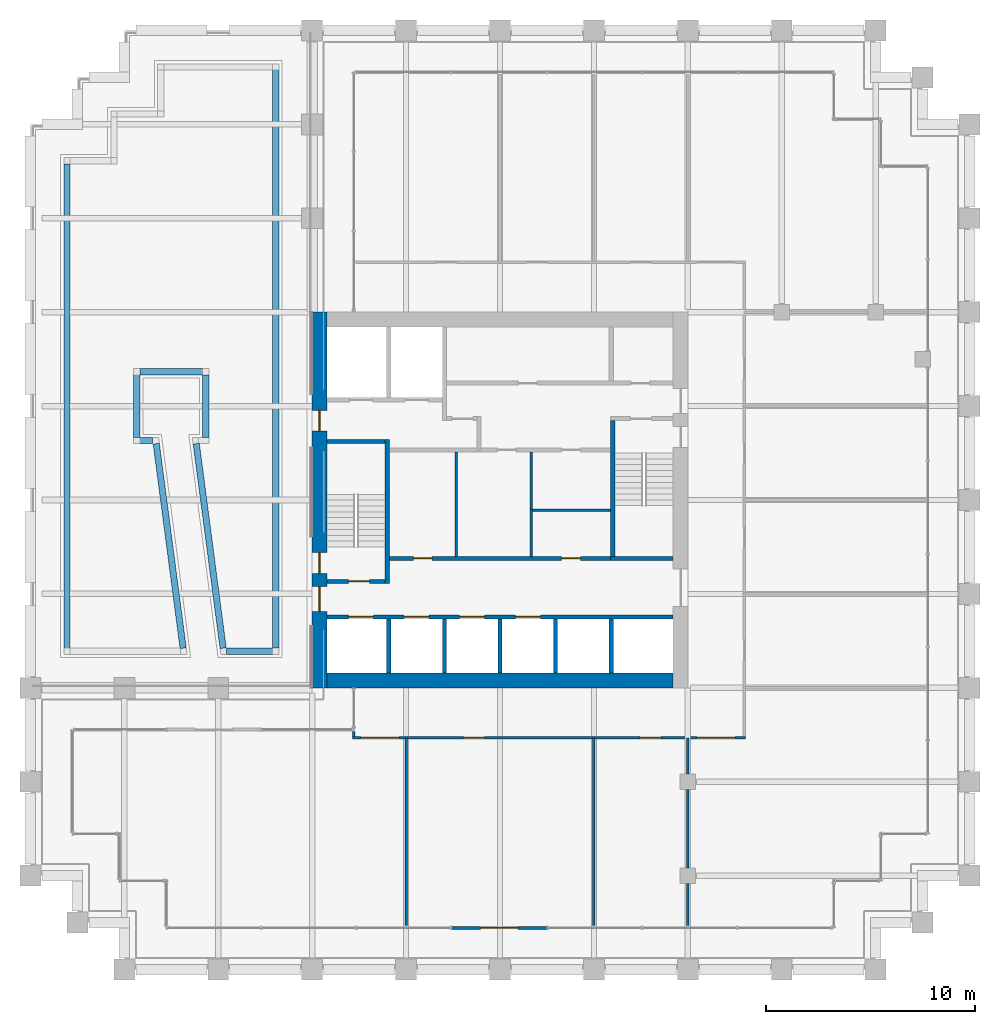
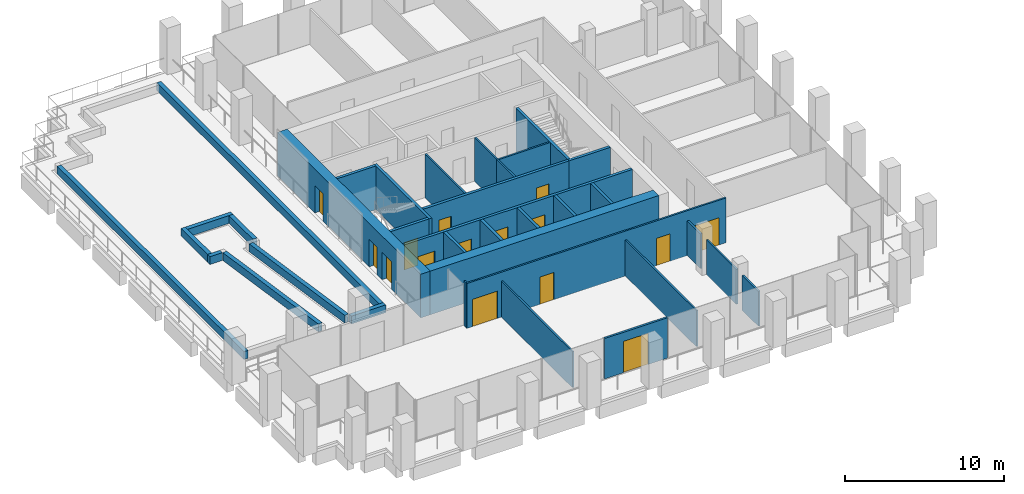
# One storey, part 45 of 52: 35 walls, 15 doors, 15 openings.
"""IFC4 building model written with IfcOpenShell, lengths in metres."""

from ifc_helpers import new_model, si_unit, direction, frame, frame_2d, origin, place, context, subcontext, project, spatial, rectangle, extrude, material, layer, layer_set, type_object, element, fill, save


model = new_model("IFC4")

# Units and contexts
model_context = context("Model", 3, precision=1e-05, world=origin(), true_north=direction((0.0, 1.0)))
body_context = subcontext(model_context, "Body", "Model", "MODEL_VIEW")
ifc_project = project(units=[si_unit("LENGTHUNIT", "METRE"), si_unit("AREAUNIT", "SQUARE_METRE"), si_unit("VOLUMEUNIT", "CUBIC_METRE"), si_unit("PLANEANGLEUNIT", "RADIAN"), si_unit("MASSUNIT", "GRAM", prefix="KILO")], contexts=[model_context])

# Site, building, storey
site_placement = place(None, origin())
site = spatial("IfcSite", under=ifc_project, at=site_placement, CompositionType="ELEMENT")
building_placement = place(site_placement, origin())
building = spatial("IfcBuilding", under=site, at=building_placement, Name="Altepetl Exchange Towers", CompositionType="ELEMENT")
storey_placement = place(building_placement, frame((0.0, 0.0, 92.0)))
storey = spatial("IfcBuildingStorey", under=building, at=storey_placement, Name="L22", CompositionType="ELEMENT", Elevation=92.0)

# Wall
ifc_material_1 = material(Name="Concrete C70/85", Category="concrete")
ifc_layer_1 = layer(ifc_material_1, 0.699951171875)
ifc_layer_set_1 = layer_set([ifc_layer_1], Name="Concrete C70/85")
wall_type_1 = type_object("IfcWallType", Name="Core wall 700 reinforced concrete", PredefinedType="SHEAR", material=ifc_layer_set_1)
wall_1_placement = place(storey_placement, frame((41.199951171875, 40.85009765625, 0.0)))
element("IfcWall", 1, at=wall_1_placement, inside=storey, type_object=wall_type_1, Name="wall:A:L22:K-coreS", PredefinedType="SHEAR", context=body_context, shape_type="SweptSolid", body=[
    extrude(rectangle(XDim=16.60009765625, YDim=0.699951171875, at=frame_2d((8.300048828125, 0.0))), origin(), (0.0, 0.0, 1.0), 3.35009765625),
])

# Wall, openings, doors
ifc_layer_2 = layer(ifc_material_1, 0.699951171875)
ifc_layer_set_2 = layer_set([ifc_layer_2], Name="Concrete C70/85")
wall_type_2 = type_object("IfcWallType", Name="Core wall 700 reinforced concrete external", PredefinedType="SHEAR", material=ifc_layer_set_2)
wall_2_placement = place(storey_placement, frame((40.85009765625, 40.5, 0.0), z_axis=(0.0, 0.0, 1.0), x_axis=(0.0, 1.0, 0.0)))
wall_2 = element("IfcWall", 2, at=wall_2_placement, inside=storey, type_object=wall_type_2, Name="wall:A:L22:K-coreW", PredefinedType="SHEAR", context=body_context, shape_type="SweptSolid", body=[
    extrude(rectangle(XDim=18.0, YDim=0.699951171875, at=frame_2d((9.0, 0.0))), origin(), (0.0, 0.0, 1.0), 3.35009765625),
])
opening_1_placement = place(wall_2_placement, frame((3.64990234375, 0.0, 0.0)))
opening_1 = element("IfcOpeningElement", 3, at=opening_1_placement, cuts=wall_2, Name="Opening L22.A62", PredefinedType="OPENING", context=body_context, shape_type="SweptSolid", body=[
    extrude(rectangle(XDim=1.199951171875, YDim=2.10009765625, at=frame_2d((0.60009765625, 1.050048828125))), frame((0.0, 0.35986328125, 0.0), z_axis=(0.0, -1.0, 0.0), x_axis=(1.0, 0.0, 0.0)), (0.0, 0.0, 1.0), 0.719970703125),
])
opening_2_placement = place(wall_2_placement, frame((5.47509765625, 0.0, 0.0)))
opening_2 = element("IfcOpeningElement", 4, at=opening_2_placement, cuts=wall_2, Name="Opening L22.A64", PredefinedType="OPENING", context=body_context, shape_type="SweptSolid", body=[
    extrude(rectangle(XDim=1.0, YDim=2.10009765625, at=frame_2d((0.5, 1.050048828125))), frame((0.0, 0.35986328125, 0.0), z_axis=(0.0, -1.0, 0.0), x_axis=(1.0, 0.0, 0.0)), (0.0, 0.0, 1.0), 0.719970703125),
])
opening_3_placement = place(wall_2_placement, frame((12.300048828125, 0.0, 0.0)))
opening_3 = element("IfcOpeningElement", 5, at=opening_3_placement, cuts=wall_2, Name="Opening L22.A68", PredefinedType="OPENING", context=body_context, shape_type="SweptSolid", body=[
    extrude(rectangle(XDim=1.0, YDim=2.10009765625, at=frame_2d((0.5, 1.050048828125))), frame((0.0, 0.35986328125, 0.0), z_axis=(0.0, -1.0, 0.0), x_axis=(1.0, 0.0, 0.0)), (0.0, 0.0, 1.0), 0.719970703125),
])
ifc_material_2 = material(Name="Steel and timber fire door", Category="steel")
door_type_1 = type_object("IfcDoorType", Name="Fire door 1000 x 2100 stair and lobby", OperationType="SINGLE_SWING_LEFT", PredefinedType="DOOR", material=ifc_material_2)
door_1_placement = place(opening_2_placement, frame((1.0, 0.0, 0.0), x_axis=(-1.0, 0.0, 0.0)))
door_1 = element("IfcDoor", 6, at=door_1_placement, inside=storey, type_object=door_type_1, Name="door:A:L22:K-dS1x", OperationType="SINGLE_SWING_RIGHT", OverallHeight=2.10009765625, OverallWidth=1.0, PredefinedType="DOOR", context=body_context, shape_type="SweptSolid", body=[
    extrude(rectangle(XDim=1.0, YDim=2.10009765625, at=frame_2d((0.5, 1.050048828125))), frame((0.0, 0.02490234375, 0.0), z_axis=(0.0, -1.0, 0.0), x_axis=(1.0, 0.0, 0.0)), (0.0, 0.0, 1.0), 0.050048828125),
])
fill(opening_2, door_1)
door_2_placement = place(opening_3_placement, frame((1.0, 0.0, 0.0), x_axis=(-1.0, 0.0, 0.0)))
door_2 = element("IfcDoor", 7, at=door_2_placement, inside=storey, type_object=door_type_1, Name="door:A:L22:K-dffW", OperationType="SINGLE_SWING_LEFT", OverallHeight=2.10009765625, OverallWidth=1.0, PredefinedType="DOOR", context=body_context, shape_type="SweptSolid", body=[
    extrude(rectangle(XDim=1.0, YDim=2.10009765625, at=frame_2d((0.5, 1.050048828125))), frame((0.0, 0.02490234375, 0.0), z_axis=(0.0, -1.0, 0.0), x_axis=(1.0, 0.0, 0.0)), (0.0, 0.0, 1.0), 0.050048828125),
])
fill(opening_3, door_2)
door_type_2 = type_object("IfcDoorType", Name="Fire door 1200 x 2100 lobby entry", OperationType="SINGLE_SWING_LEFT", PredefinedType="DOOR", material=ifc_material_2)
door_3_placement = place(opening_1_placement, frame((1.199951171875, 0.0, 0.0), x_axis=(-1.0, 0.0, 0.0)))
door_3 = element("IfcDoor", 8, at=door_3_placement, inside=storey, type_object=door_type_2, Name="door:A:L22:K-dLSW", OperationType="SINGLE_SWING_LEFT", OverallHeight=2.10009765625, OverallWidth=1.199951171875, PredefinedType="DOOR", context=body_context, shape_type="SweptSolid", body=[
    extrude(rectangle(XDim=1.199951171875, YDim=2.10009765625, at=frame_2d((0.60009765625, 1.050048828125))), frame((0.0, 0.02490234375, 0.0), z_axis=(0.0, -1.0, 0.0), x_axis=(1.0, 0.0, 0.0)), (0.0, 0.0, 1.0), 0.050048828125),
])
fill(opening_1, door_3)

# Wall, opening, door
ifc_material_3 = material(Name="Aluminium composite cladding", Category="aluminium")
ifc_layer_3 = layer(ifc_material_3, 0.14990234375)
ifc_layer_set_3 = layer_set([ifc_layer_3], Name="Aluminium composite cladding")
wall_type_3 = type_object("IfcWallType", Name="Infill wall 150 aluminium panel", PredefinedType="SOLIDWALL", material=ifc_layer_set_3)
wall_3_placement = place(storey_placement, frame((47.18212890625, 29.0, 0.0)))
wall_3 = element("IfcWall", 9, at=wall_3_placement, inside=storey, type_object=wall_type_3, Name="Loggia door bay wall", PredefinedType="SOLIDWALL", context=body_context, shape_type="SweptSolid", body=[
    extrude(rectangle(XDim=4.560791015625, YDim=0.14990234375, at=frame_2d((2.2802734375, 0.0))), origin(), (0.0, 0.0, 1.0), 3.10009765625),
])
opening_4_placement = place(wall_3_placement, frame((1.38037109375, 0.0, 0.0)))
opening_4 = element("IfcOpeningElement", 10, at=opening_4_placement, cuts=wall_3, Name="Opening L22.A90", PredefinedType="OPENING", context=body_context, shape_type="SweptSolid", body=[
    extrude(rectangle(XDim=1.800048828125, YDim=2.39990234375, at=frame_2d((0.89990234375, 1.199951171875))), frame((0.0, 0.0849609375, 0.0), z_axis=(0.0, -1.0, 0.0), x_axis=(1.0, 0.0, 0.0)), (0.0, 0.0, 1.0), 0.169921875),
])
ifc_material_4 = material(Name="Aluminium 6063-T6 and glass", Category="aluminium")
door_type_3 = type_object("IfcDoorType", Name="Glazed door pair 1800x2400", OperationType="DOUBLE_DOOR_DOUBLE_SWING", PredefinedType="NOTDEFINED", material=ifc_material_4)
door_4_placement = place(opening_4_placement, frame((1.800048828125, 0.0, 0.0), x_axis=(-1.0, 0.0, 0.0)))
door_4 = element("IfcDoor", 11, at=door_4_placement, inside=storey, type_object=door_type_3, Name="Loggia door", OperationType="DOUBLE_DOOR_DOUBLE_SWING", OverallHeight=2.39990234375, OverallWidth=1.800048828125, PredefinedType="NOTDEFINED", context=body_context, shape_type="SweptSolid", body=[
    extrude(rectangle(XDim=1.800048828125, YDim=2.39990234375, at=frame_2d((0.89990234375, 1.199951171875))), frame((0.0, 0.02490234375, 0.0), z_axis=(0.0, -1.0, 0.0), x_axis=(1.0, 0.0, 0.0)), (0.0, 0.0, 1.0), 0.050048828125),
])
fill(opening_4, door_4)

# Wall, openings, doors
ifc_material_5 = material(Name="Concrete blockwork", Category="masonry")
ifc_layer_4 = layer(ifc_material_5, 0.199951171875)
ifc_layer_set_4 = layer_set([ifc_layer_4], Name="Concrete blockwork")
wall_type_4 = type_object("IfcWallType", Name="Lobby wall 200 blockwork", PredefinedType="PARTITIONING", material=ifc_layer_set_4)
wall_4_placement = place(storey_placement, frame((44.199951171875, 46.699951171875, 0.0)))
wall_4 = element("IfcWall", 12, at=wall_4_placement, inside=storey, type_object=wall_type_4, Name="wall:A:L22:K-zoneS", PredefinedType="PARTITIONING", context=body_context, shape_type="SweptSolid", body=[
    extrude(rectangle(XDim=10.60009765625, YDim=0.199951171875, at=frame_2d((5.300048828125, 0.0))), origin(), (0.0, 0.0, 1.0), 3.35009765625),
])
opening_5_placement = place(wall_4_placement, frame((1.14990234375, 0.0, 0.0)))
opening_5 = element("IfcOpeningElement", 13, at=opening_5_placement, cuts=wall_4, Name="Opening L22.A71", PredefinedType="OPENING", context=body_context, shape_type="SweptSolid", body=[
    extrude(rectangle(XDim=0.89990234375, YDim=2.10009765625, at=frame_2d((0.449951171875, 1.050048828125))), frame((0.0, 0.10986328125, 0.0), z_axis=(0.0, -1.0, 0.0), x_axis=(1.0, 0.0, 0.0)), (0.0, 0.0, 1.0), 0.219970703125),
])
opening_6_placement = place(wall_4_placement, frame((8.25, 0.0, 0.0)))
opening_6 = element("IfcOpeningElement", 14, at=opening_6_placement, cuts=wall_4, Name="Opening L22.A73", PredefinedType="OPENING", context=body_context, shape_type="SweptSolid", body=[
    extrude(rectangle(XDim=0.89990234375, YDim=2.10009765625, at=frame_2d((0.449951171875, 1.050048828125))), frame((0.0, 0.10986328125, 0.0), z_axis=(0.0, -1.0, 0.0), x_axis=(1.0, 0.0, 0.0)), (0.0, 0.0, 1.0), 0.219970703125),
])
door_type_4 = type_object("IfcDoorType", Name="Fire door 900 x 2100 service room", OperationType="SINGLE_SWING_LEFT", PredefinedType="DOOR", material=ifc_material_2)
door_5_placement = place(opening_5_placement, origin())
door_5 = element("IfcDoor", 15, at=door_5_placement, inside=storey, type_object=door_type_4, Name="door:A:L22:K-dz1", OperationType="SINGLE_SWING_RIGHT", OverallHeight=2.10009765625, OverallWidth=0.89990234375, PredefinedType="DOOR", context=body_context, shape_type="SweptSolid", body=[
    extrude(rectangle(XDim=0.89990234375, YDim=2.10009765625, at=frame_2d((0.449951171875, 1.050048828125))), frame((0.0, 0.02490234375, 0.0), z_axis=(0.0, -1.0, 0.0), x_axis=(1.0, 0.0, 0.0)), (0.0, 0.0, 1.0), 0.050048828125),
])
fill(opening_5, door_5)
door_6_placement = place(opening_6_placement, origin())
door_6 = element("IfcDoor", 16, at=door_6_placement, inside=storey, type_object=door_type_4, Name="door:A:L22:K-dz3", OperationType="SINGLE_SWING_RIGHT", OverallHeight=2.10009765625, OverallWidth=0.89990234375, PredefinedType="DOOR", context=body_context, shape_type="SweptSolid", body=[
    extrude(rectangle(XDim=0.89990234375, YDim=2.10009765625, at=frame_2d((0.449951171875, 1.050048828125))), frame((0.0, 0.02490234375, 0.0), z_axis=(0.0, -1.0, 0.0), x_axis=(1.0, 0.0, 0.0)), (0.0, 0.0, 1.0), 0.050048828125),
])
fill(opening_6, door_6)

# Walls
ifc_material_6 = material(Name="Gypsum board on steel studs", Category="steel")
ifc_layer_5 = layer(ifc_material_6, 0.125)
ifc_layer_set_5 = layer_set([ifc_layer_5], Name="Gypsum board on steel studs")
wall_type_5 = type_object("IfcWallType", Name="Partition 125 gypsum board on steel studs", PredefinedType="PARTITIONING", material=ifc_layer_set_5)
wall_5_placement = place(storey_placement, frame((47.39990234375, 46.800048828125, 0.0), z_axis=(0.0, 0.0, 1.0), x_axis=(0.0, 1.0, 0.0)))
element("IfcWall", 17, at=wall_5_placement, inside=storey, type_object=wall_type_5, Name="wall:A:L22:K-zp1", PredefinedType="PARTITIONING", context=body_context, shape_type="SweptSolid", body=[
    extrude(rectangle(XDim=5.0, YDim=0.125, at=frame_2d((2.5, 0.0))), origin(), (0.0, 0.0, 1.0), 3.35009765625),
])
wall_6_placement = place(storey_placement, frame((51.0, 46.800048828125, 0.0), z_axis=(0.0, 0.0, 1.0), x_axis=(0.0, 1.0, 0.0)))
element("IfcWall", 18, at=wall_6_placement, inside=storey, type_object=wall_type_5, Name="wall:A:L22:K-zp2", PredefinedType="PARTITIONING", context=body_context, shape_type="SweptSolid", body=[
    extrude(rectangle(XDim=2.262451171875, YDim=0.125, at=frame_2d((1.13134765625, 0.0))), origin(), (0.0, 0.0, 1.0), 3.35009765625),
])
wall_7_placement = place(storey_placement, frame((54.800048828125, 49.0, 0.0), z_axis=(0.0, 0.0, 1.0), x_axis=(-1.0, 0.0, 0.0)))
element("IfcWall", 19, at=wall_7_placement, inside=storey, type_object=wall_type_5, Name="wall:A:L22:K-zp3", PredefinedType="PARTITIONING", context=body_context, shape_type="SweptSolid", body=[
    extrude(rectangle(XDim=3.737548828125, YDim=0.125, at=frame_2d((1.86865234375, 0.0))), origin(), (0.0, 0.0, 1.0), 3.35009765625),
])
wall_8_placement = place(storey_placement, frame((51.0, 49.0, 0.0), z_axis=(0.0, 0.0, 1.0), x_axis=(0.0, 1.0, 0.0)))
element("IfcWall", 20, at=wall_8_placement, inside=storey, type_object=wall_type_5, Name="wall:A:L22:K-zp4", PredefinedType="PARTITIONING", context=body_context, shape_type="SweptSolid", body=[
    extrude(rectangle(XDim=2.800048828125, YDim=0.125, at=frame_2d((1.39990234375, 0.0))), origin(), (0.0, 0.0, 1.0), 3.35009765625),
])

# Wall, openings, doors
wall_9_placement = place(storey_placement, frame((42.4375, 38.10009765625, 0.0)))
wall_9 = element("IfcWall", 21, at=wall_9_placement, inside=storey, type_object=wall_type_5, Name="wall:A:L22:P01", PredefinedType="PARTITIONING", context=body_context, shape_type="SweptSolid", body=[
    extrude(rectangle(XDim=18.824951171875, YDim=0.125, at=frame_2d((9.41259765625, 0.0))), origin(), (0.0, 0.0, 1.0), 3.449951171875),
])
opening_7_placement = place(wall_9_placement, frame((0.41259765625, 0.0, 0.0)))
opening_7 = element("IfcOpeningElement", 22, at=opening_7_placement, cuts=wall_9, Name="Opening L22.A01", PredefinedType="OPENING", context=body_context, shape_type="SweptSolid", body=[
    extrude(rectangle(XDim=1.800048828125, YDim=2.10009765625, at=frame_2d((0.89990234375, 1.050048828125))), frame((0.0, 0.072509765625, 0.0), z_axis=(0.0, -1.0, 0.0), x_axis=(1.0, 0.0, 0.0)), (0.0, 0.0, 1.0), 0.14501953125),
])
opening_8_placement = place(wall_9_placement, frame((5.320556640625, 0.0, 0.0)))
opening_8 = element("IfcOpeningElement", 23, at=opening_8_placement, cuts=wall_9, Name="Opening L22.A02", PredefinedType="OPENING", context=body_context, shape_type="SweptSolid", body=[
    extrude(rectangle(XDim=1.0, YDim=2.10009765625, at=frame_2d((0.5, 1.050048828125))), frame((0.0, 0.072509765625, 0.0), z_axis=(0.0, -1.0, 0.0), x_axis=(1.0, 0.0, 0.0)), (0.0, 0.0, 1.0), 0.14501953125),
])
opening_9_placement = place(wall_9_placement, frame((13.767578125, 0.0, 0.0)))
opening_9 = element("IfcOpeningElement", 24, at=opening_9_placement, cuts=wall_9, Name="Opening L22.A03", PredefinedType="OPENING", context=body_context, shape_type="SweptSolid", body=[
    extrude(rectangle(XDim=1.0, YDim=2.10009765625, at=frame_2d((0.5, 1.050048828125))), frame((0.0, 0.072509765625, 0.0), z_axis=(0.0, -1.0, 0.0), x_axis=(1.0, 0.0, 0.0)), (0.0, 0.0, 1.0), 0.14501953125),
])
opening_10_placement = place(wall_9_placement, frame((16.512451171875, 0.0, 0.0)))
opening_10 = element("IfcOpeningElement", 25, at=opening_10_placement, cuts=wall_9, Name="Opening L22.A04", PredefinedType="OPENING", context=body_context, shape_type="SweptSolid", body=[
    extrude(rectangle(XDim=1.800048828125, YDim=2.10009765625, at=frame_2d((0.89990234375, 1.050048828125))), frame((0.0, 0.072509765625, 0.0), z_axis=(0.0, -1.0, 0.0), x_axis=(1.0, 0.0, 0.0)), (0.0, 0.0, 1.0), 0.14501953125),
])
door_type_5 = type_object("IfcDoorType", Name="Fire door 1000 x 2100 single leaf", OperationType="SINGLE_SWING_LEFT", PredefinedType="DOOR", material=ifc_material_2)
door_7_placement = place(opening_8_placement, frame((1.0, 0.0, 0.0), x_axis=(-1.0, 0.0, 0.0)))
door_7 = element("IfcDoor", 26, at=door_7_placement, inside=storey, type_object=door_type_5, Name="door:A:L22:02", OperationType="SINGLE_SWING_RIGHT", OverallHeight=2.10009765625, OverallWidth=1.0, PredefinedType="DOOR", context=body_context, shape_type="SweptSolid", body=[
    extrude(rectangle(XDim=1.0, YDim=2.10009765625, at=frame_2d((0.5, 1.050048828125))), frame((0.0, 0.02490234375, 0.0), z_axis=(0.0, -1.0, 0.0), x_axis=(1.0, 0.0, 0.0)), (0.0, 0.0, 1.0), 0.050048828125),
])
fill(opening_8, door_7)
door_8_placement = place(opening_9_placement, frame((1.0, 0.0, 0.0), x_axis=(-1.0, 0.0, 0.0)))
door_8 = element("IfcDoor", 27, at=door_8_placement, inside=storey, type_object=door_type_5, Name="door:A:L22:03", OperationType="SINGLE_SWING_LEFT", OverallHeight=2.10009765625, OverallWidth=1.0, PredefinedType="DOOR", context=body_context, shape_type="SweptSolid", body=[
    extrude(rectangle(XDim=1.0, YDim=2.10009765625, at=frame_2d((0.5, 1.050048828125))), frame((0.0, 0.02490234375, 0.0), z_axis=(0.0, -1.0, 0.0), x_axis=(1.0, 0.0, 0.0)), (0.0, 0.0, 1.0), 0.050048828125),
])
fill(opening_9, door_8)
door_type_6 = type_object("IfcDoorType", Name="Fire door 1800 x 2100 double leaf", OperationType="DOUBLE_DOOR_SINGLE_SWING", PredefinedType="DOOR", material=ifc_material_2)
door_9_placement = place(opening_7_placement, frame((1.800048828125, 0.0, 0.0), x_axis=(-1.0, 0.0, 0.0)))
door_9 = element("IfcDoor", 28, at=door_9_placement, inside=storey, type_object=door_type_6, Name="door:A:L22:01", OperationType="DOUBLE_DOOR_SINGLE_SWING", OverallHeight=2.10009765625, OverallWidth=1.800048828125, PredefinedType="DOOR", context=body_context, shape_type="SweptSolid", body=[
    extrude(rectangle(XDim=1.800048828125, YDim=2.10009765625, at=frame_2d((0.89990234375, 1.050048828125))), frame((0.0, 0.02490234375, 0.0), z_axis=(0.0, -1.0, 0.0), x_axis=(1.0, 0.0, 0.0)), (0.0, 0.0, 1.0), 0.050048828125),
])
fill(opening_7, door_9)
door_10_placement = place(opening_10_placement, frame((1.800048828125, 0.0, 0.0), x_axis=(-1.0, 0.0, 0.0)))
door_10 = element("IfcDoor", 29, at=door_10_placement, inside=storey, type_object=door_type_6, Name="door:A:L22:04", OperationType="DOUBLE_DOOR_SINGLE_SWING", OverallHeight=2.10009765625, OverallWidth=1.800048828125, PredefinedType="DOOR", context=body_context, shape_type="SweptSolid", body=[
    extrude(rectangle(XDim=1.800048828125, YDim=2.10009765625, at=frame_2d((0.89990234375, 1.050048828125))), frame((0.0, 0.02490234375, 0.0), z_axis=(0.0, -1.0, 0.0), x_axis=(1.0, 0.0, 0.0)), (0.0, 0.0, 1.0), 0.050048828125),
])
fill(opening_10, door_10)

# Walls
wall_10_placement = place(storey_placement, frame((42.5, 38.16259765625, 0.0), z_axis=(0.0, 0.0, 1.0), x_axis=(0.0, 1.0, 0.0)))
element("IfcWall", 30, at=wall_10_placement, inside=storey, type_object=wall_type_5, Name="wall:A:L22:P10", PredefinedType="PARTITIONING", context=body_context, shape_type="SweptSolid", body=[
    extrude(rectangle(XDim=0.2373046875, YDim=0.125, at=frame_2d((0.11865234375, 0.0))), origin(), (0.0, 0.0, 1.0), 3.449951171875),
])
for number, where, z_axis, x_axis, name in (
    (31, (45.0, 29.10009765625, 0.0), (0.0, 0.0, 1.0), (0.0, 1.0, 0.0), "wall:A:L22:P11"),
    (32, (54.0, 29.10009765625, 0.0), (0.0, 0.0, 1.0), (0.0, 1.0, 0.0), "wall:A:L22:P13"),
):
    element("IfcWall", number, at=place(storey_placement, frame(where, z_axis=z_axis, x_axis=x_axis)), inside=storey, type_object=wall_type_5, Name=name, PredefinedType="PARTITIONING", context=body_context, shape_type="SweptSolid", body=[
        extrude(rectangle(XDim=9.0, YDim=0.125, at=frame_2d((4.5, 0.0))), origin(), (0.0, 0.0, 1.0), 2.76611328125),
    ])
wall_11_placement = place(storey_placement, frame((58.5, 29.10009765625, 0.0), z_axis=(0.0, 0.0, 1.0), x_axis=(0.0, 1.0, 0.0)))
element("IfcWall", 33, at=wall_11_placement, inside=storey, type_object=wall_type_5, Name="wall:A:L22:P15", PredefinedType="PARTITIONING", context=body_context, shape_type="SweptSolid", body=[
    extrude(rectangle(XDim=2.02490234375, YDim=0.125, at=frame_2d((1.012451171875, 0.0))), origin(), (0.0, 0.0, 1.0), 2.676025390625),
])
wall_12_placement = place(storey_placement, frame((58.5, 31.875, 0.0), z_axis=(0.0, 0.0, 1.0), x_axis=(0.0, 1.0, 0.0)))
element("IfcWall", 34, at=wall_12_placement, inside=storey, type_object=wall_type_5, Name="wall:A:L22:P16", PredefinedType="PARTITIONING", context=body_context, shape_type="SweptSolid", body=[
    extrude(rectangle(XDim=3.75, YDim=0.125, at=frame_2d((1.875, 0.0))), origin(), (0.0, 0.0, 1.0), 2.676025390625),
])
wall_13_placement = place(storey_placement, frame((58.5, 36.375, 0.0), z_axis=(0.0, 0.0, 1.0), x_axis=(0.0, 1.0, 0.0)))
element("IfcWall", 35, at=wall_13_placement, inside=storey, type_object=wall_type_5, Name="wall:A:L22:P17", PredefinedType="PARTITIONING", context=body_context, shape_type="SweptSolid", body=[
    extrude(rectangle(XDim=1.72509765625, YDim=0.125, at=frame_2d((0.862548828125, 0.0))), origin(), (0.0, 0.0, 1.0), 2.676025390625),
])
ifc_material_7 = material(Name="Concrete C30/37", Category="concrete")
ifc_layer_6 = layer(ifc_material_7, 0.300048828125)
ifc_layer_set_6 = layer_set([ifc_layer_6], Name="Concrete C30/37")
wall_type_6 = type_object("IfcWallType", Name="Planter wall 300 concrete", PredefinedType="SOLIDWALL", material=ifc_layer_set_6)
wall_14_placement = place(storey_placement, frame((28.75, 65.60009765625, 0.0), z_axis=(0.0, 0.0, 1.0), x_axis=(0.0, -1.0, 0.0)))
element("IfcWall", 36, at=wall_14_placement, inside=storey, type_object=wall_type_6, Name="Planter bed wall", PredefinedType="SOLIDWALL", context=body_context, shape_type="SweptSolid", body=[
    extrude(rectangle(XDim=23.5, YDim=0.300048828125, at=frame_2d((11.75, 0.0))), origin(), (0.0, 0.0, 1.0), 0.60009765625),
])
wall_15_placement = place(storey_placement, frame((34.31689453125, 42.398681640625, 0.0), z_axis=(0.0, 0.0, 1.0), x_axis=(-0.130332506331, 0.991470341358, 0.0)))
element("IfcWall", 37, at=wall_15_placement, inside=storey, type_object=wall_type_6, Name="Planter bed wall", PredefinedType="SOLIDWALL", context=body_context, shape_type="SweptSolid", body=[
    extrude(rectangle(XDim=9.88671875, YDim=0.300048828125, at=frame_2d((4.943359375, 0.0))), origin(), (0.0, 0.0, 1.0), 0.60009765625),
])
wall_16_placement = place(storey_placement, frame((32.858642578125, 52.35009765625, 0.0), z_axis=(0.0, 0.0, 1.0), x_axis=(-1.0, 0.0, 0.0)))
element("IfcWall", 38, at=wall_16_placement, inside=storey, type_object=wall_type_6, Name="Planter bed wall", PredefinedType="SOLIDWALL", context=body_context, shape_type="SweptSolid", body=[
    extrude(rectangle(XDim=0.90869140625, YDim=0.300048828125, at=frame_2d((0.454345703125, 0.0))), origin(), (0.0, 0.0, 1.0), 0.60009765625),
])
wall_17_placement = place(storey_placement, frame((32.10009765625, 52.5, 0.0), z_axis=(0.0, 0.0, 1.0), x_axis=(0.0, 1.0, 0.0)))
element("IfcWall", 39, at=wall_17_placement, inside=storey, type_object=wall_type_6, Name="Planter bed wall", PredefinedType="SOLIDWALL", context=body_context, shape_type="SweptSolid", body=[
    extrude(rectangle(XDim=3.300048828125, YDim=0.300048828125, at=frame_2d((1.64990234375, 0.0))), origin(), (0.0, 0.0, 1.0), 0.60009765625),
])
wall_18_placement = place(storey_placement, frame((32.25, 55.64990234375, 0.0)))
element("IfcWall", 40, at=wall_18_placement, inside=storey, type_object=wall_type_6, Name="Planter bed wall", PredefinedType="SOLIDWALL", context=body_context, shape_type="SweptSolid", body=[
    extrude(rectangle(XDim=3.300048828125, YDim=0.300048828125, at=frame_2d((1.64990234375, 0.0))), origin(), (0.0, 0.0, 1.0), 0.60009765625),
])
wall_19_placement = place(storey_placement, frame((35.39990234375, 55.5, 0.0), z_axis=(0.0, 0.0, 1.0), x_axis=(0.0, -1.0, 0.0)))
element("IfcWall", 41, at=wall_19_placement, inside=storey, type_object=wall_type_6, Name="Planter bed wall", PredefinedType="SOLIDWALL", context=body_context, shape_type="SweptSolid", body=[
    extrude(rectangle(XDim=3.0, YDim=0.300048828125, at=frame_2d((1.5, 0.0))), origin(), (0.0, 0.0, 1.0), 0.60009765625),
])
wall_20_placement = place(storey_placement, frame((34.944580078125, 52.201171875, 0.0), z_axis=(0.0, 0.0, 1.0), x_axis=(0.130332506331, -0.991470341358, 0.0)))
element("IfcWall", 42, at=wall_20_placement, inside=storey, type_object=wall_type_6, Name="Planter bed wall", PredefinedType="SOLIDWALL", context=body_context, shape_type="SweptSolid", body=[
    extrude(rectangle(XDim=9.88671875, YDim=0.300048828125, at=frame_2d((4.943359375, 0.0))), origin(), (0.0, 0.0, 1.0), 0.60009765625),
])
wall_21_placement = place(storey_placement, frame((36.402587890625, 42.25, 0.0)))
element("IfcWall", 43, at=wall_21_placement, inside=storey, type_object=wall_type_6, Name="Planter bed wall", PredefinedType="SOLIDWALL", context=body_context, shape_type="SweptSolid", body=[
    extrude(rectangle(XDim=2.497314453125, YDim=0.300048828125, at=frame_2d((1.24853515625, 0.0))), origin(), (0.0, 0.0, 1.0), 0.60009765625),
])
wall_22_placement = place(storey_placement, frame((38.75, 42.39990234375, 0.0), z_axis=(0.0, 0.0, 1.0), x_axis=(0.0, 1.0, 0.0)))
element("IfcWall", 44, at=wall_22_placement, inside=storey, type_object=wall_type_6, Name="Planter bed wall", PredefinedType="SOLIDWALL", context=body_context, shape_type="SweptSolid", body=[
    extrude(rectangle(XDim=28.0, YDim=0.300048828125, at=frame_2d((14.0, 0.0))), origin(), (0.0, 0.0, 1.0), 0.60009765625),
])
ifc_material_8 = material(Name="Concrete C40/50", Category="concrete")
ifc_layer_7 = layer(ifc_material_8, 0.199951171875)
ifc_layer_set_7 = layer_set([ifc_layer_7], Name="Concrete C40/50")
wall_type_7 = type_object("IfcWallType", Name="Shaft wall 200 reinforced concrete", PredefinedType="SHEAR", material=ifc_layer_set_7)
for number, where, z_axis, x_axis, name in (
    (45, (44.166748046875, 41.199951171875, 0.0), (0.0, 0.0, 1.0), (0.0, 1.0, 0.0), "wall:A:L22:K-divS1"),
    (46, (46.833251953125, 41.199951171875, 0.0), (0.0, 0.0, 1.0), (0.0, 1.0, 0.0), "wall:A:L22:K-divS2"),
    (47, (49.5, 41.199951171875, 0.0), (0.0, 0.0, 1.0), (0.0, 1.0, 0.0), "wall:A:L22:K-divS3"),
    (48, (52.166748046875, 41.199951171875, 0.0), (0.0, 0.0, 1.0), (0.0, 1.0, 0.0), "wall:A:L22:K-divS4"),
    (49, (54.833251953125, 41.199951171875, 0.0), (0.0, 0.0, 1.0), (0.0, 1.0, 0.0), "wall:A:L22:K-divS5"),
):
    element("IfcWall", number, at=place(storey_placement, frame(where, z_axis=z_axis, x_axis=x_axis)), inside=storey, type_object=wall_type_7, Name=name, PredefinedType="SHEAR", context=body_context, shape_type="SweptSolid", body=[
        extrude(rectangle(XDim=2.60009765625, YDim=0.199951171875, at=frame_2d((1.300048828125, 0.0))), origin(), (0.0, 0.0, 1.0), 3.35009765625),
    ])

# Wall, openings, doors
wall_23_placement = place(storey_placement, frame((41.199951171875, 43.89990234375, 0.0)))
wall_23 = element("IfcWall", 50, at=wall_23_placement, inside=storey, type_object=wall_type_7, Name="wall:A:L22:K-frontS", PredefinedType="SHEAR", context=body_context, shape_type="SweptSolid", body=[
    extrude(rectangle(XDim=16.60009765625, YDim=0.199951171875, at=frame_2d((8.300048828125, 0.0))), origin(), (0.0, 0.0, 1.0), 3.35009765625),
])
opening_11_placement = place(wall_23_placement, frame((1.033203125, 0.0, 0.0)))
opening_11 = element("IfcOpeningElement", 51, at=opening_11_placement, cuts=wall_23, Name="Opening L22.A77", PredefinedType="OPENING", context=body_context, shape_type="SweptSolid", body=[
    extrude(rectangle(XDim=1.199951171875, YDim=2.10009765625, at=frame_2d((0.60009765625, 1.050048828125))), frame((0.0, 0.10986328125, 0.0), z_axis=(0.0, -1.0, 0.0), x_axis=(1.0, 0.0, 0.0)), (0.0, 0.0, 1.0), 0.219970703125),
])
opening_12_placement = place(wall_23_placement, frame((3.699951171875, 0.0, 0.0)))
opening_12 = element("IfcOpeningElement", 52, at=opening_12_placement, cuts=wall_23, Name="Opening L22.A78", PredefinedType="OPENING", context=body_context, shape_type="SweptSolid", body=[
    extrude(rectangle(XDim=1.199951171875, YDim=2.10009765625, at=frame_2d((0.60009765625, 1.050048828125))), frame((0.0, 0.10986328125, 0.0), z_axis=(0.0, -1.0, 0.0), x_axis=(1.0, 0.0, 0.0)), (0.0, 0.0, 1.0), 0.219970703125),
])
opening_13_placement = place(wall_23_placement, frame((6.36669921875, 0.0, 0.0)))
opening_13 = element("IfcOpeningElement", 53, at=opening_13_placement, cuts=wall_23, Name="Opening L22.A79", PredefinedType="OPENING", context=body_context, shape_type="SweptSolid", body=[
    extrude(rectangle(XDim=1.199951171875, YDim=2.10009765625, at=frame_2d((0.60009765625, 1.050048828125))), frame((0.0, 0.10986328125, 0.0), z_axis=(0.0, -1.0, 0.0), x_axis=(1.0, 0.0, 0.0)), (0.0, 0.0, 1.0), 0.219970703125),
])
opening_14_placement = place(wall_23_placement, frame((9.033203125, 0.0, 0.0)))
opening_14 = element("IfcOpeningElement", 54, at=opening_14_placement, cuts=wall_23, Name="Opening L22.A80", PredefinedType="OPENING", context=body_context, shape_type="SweptSolid", body=[
    extrude(rectangle(XDim=1.199951171875, YDim=2.10009765625, at=frame_2d((0.60009765625, 1.050048828125))), frame((0.0, 0.10986328125, 0.0), z_axis=(0.0, -1.0, 0.0), x_axis=(1.0, 0.0, 0.0)), (0.0, 0.0, 1.0), 0.219970703125),
])
ifc_material_9 = material(Name="Stainless steel", Category="steel")
door_type_7 = type_object("IfcDoorType", Name="Lift landing door 1200 x 2100", OperationType="SLIDING_TO_LEFT", PredefinedType="DOOR", material=ifc_material_9)
door_11_placement = place(opening_11_placement, origin())
door_11 = element("IfcDoor", 55, at=door_11_placement, inside=storey, type_object=door_type_7, Name="Landing door P1", OperationType="SLIDING_TO_LEFT", OverallHeight=2.10009765625, OverallWidth=1.199951171875, PredefinedType="DOOR", context=body_context, shape_type="SweptSolid", body=[
    extrude(rectangle(XDim=1.199951171875, YDim=2.10009765625, at=frame_2d((0.60009765625, 1.050048828125))), frame((0.0, 0.02490234375, 0.0), z_axis=(0.0, -1.0, 0.0), x_axis=(1.0, 0.0, 0.0)), (0.0, 0.0, 1.0), 0.050048828125),
])
fill(opening_11, door_11)
door_12_placement = place(opening_12_placement, origin())
door_12 = element("IfcDoor", 56, at=door_12_placement, inside=storey, type_object=door_type_7, Name="Landing door P2", OperationType="SLIDING_TO_LEFT", OverallHeight=2.10009765625, OverallWidth=1.199951171875, PredefinedType="DOOR", context=body_context, shape_type="SweptSolid", body=[
    extrude(rectangle(XDim=1.199951171875, YDim=2.10009765625, at=frame_2d((0.60009765625, 1.050048828125))), frame((0.0, 0.02490234375, 0.0), z_axis=(0.0, -1.0, 0.0), x_axis=(1.0, 0.0, 0.0)), (0.0, 0.0, 1.0), 0.050048828125),
])
fill(opening_12, door_12)
door_13_placement = place(opening_13_placement, origin())
door_13 = element("IfcDoor", 57, at=door_13_placement, inside=storey, type_object=door_type_7, Name="Landing door P3", OperationType="SLIDING_TO_LEFT", OverallHeight=2.10009765625, OverallWidth=1.199951171875, PredefinedType="DOOR", context=body_context, shape_type="SweptSolid", body=[
    extrude(rectangle(XDim=1.199951171875, YDim=2.10009765625, at=frame_2d((0.60009765625, 1.050048828125))), frame((0.0, 0.02490234375, 0.0), z_axis=(0.0, -1.0, 0.0), x_axis=(1.0, 0.0, 0.0)), (0.0, 0.0, 1.0), 0.050048828125),
])
fill(opening_13, door_13)
door_14_placement = place(opening_14_placement, origin())
door_14 = element("IfcDoor", 58, at=door_14_placement, inside=storey, type_object=door_type_7, Name="Landing door P4", OperationType="SLIDING_TO_LEFT", OverallHeight=2.10009765625, OverallWidth=1.199951171875, PredefinedType="DOOR", context=body_context, shape_type="SweptSolid", body=[
    extrude(rectangle(XDim=1.199951171875, YDim=2.10009765625, at=frame_2d((0.60009765625, 1.050048828125))), frame((0.0, 0.02490234375, 0.0), z_axis=(0.0, -1.0, 0.0), x_axis=(1.0, 0.0, 0.0)), (0.0, 0.0, 1.0), 0.050048828125),
])
fill(opening_14, door_14)

# Walls
ifc_layer_8 = layer(ifc_material_8, 0.199951171875)
ifc_layer_set_8 = layer_set([ifc_layer_8], Name="Concrete C40/50")
wall_type_8 = type_object("IfcWallType", Name="Stair wall 200 reinforced concrete", PredefinedType="SHEAR", material=ifc_layer_set_8)
wall_24_placement = place(storey_placement, frame((44.10009765625, 45.5, 0.0), z_axis=(0.0, 0.0, 1.0), x_axis=(0.0, 1.0, 0.0)))
element("IfcWall", 59, at=wall_24_placement, inside=storey, type_object=wall_type_8, Name="wall:A:L22:K-stS1E", PredefinedType="SHEAR", context=body_context, shape_type="SweptSolid", body=[
    extrude(rectangle(XDim=6.89990234375, YDim=0.199951171875, at=frame_2d((3.449951171875, 0.0))), origin(), (0.0, 0.0, 1.0), 3.35009765625),
])
wall_25_placement = place(storey_placement, frame((41.199951171875, 52.300048828125, 0.0)))
element("IfcWall", 60, at=wall_25_placement, inside=storey, type_object=wall_type_8, Name="wall:A:L22:K-stS1N", PredefinedType="SHEAR", context=body_context, shape_type="SweptSolid", body=[
    extrude(rectangle(XDim=2.800048828125, YDim=0.199951171875, at=frame_2d((1.39990234375, 0.0))), origin(), (0.0, 0.0, 1.0), 3.35009765625),
])

# Wall, opening, door
wall_26_placement = place(storey_placement, frame((41.199951171875, 45.60009765625, 0.0)))
wall_26 = element("IfcWall", 61, at=wall_26_placement, inside=storey, type_object=wall_type_8, Name="wall:A:L22:K-stS1S", PredefinedType="SHEAR", context=body_context, shape_type="SweptSolid", body=[
    extrude(rectangle(XDim=2.800048828125, YDim=0.199951171875, at=frame_2d((1.39990234375, 0.0))), origin(), (0.0, 0.0, 1.0), 3.35009765625),
])
opening_15_placement = place(wall_26_placement, frame((1.050048828125, 0.0, 0.0)))
opening_15 = element("IfcOpeningElement", 62, at=opening_15_placement, cuts=wall_26, Name="Opening L22.A63", PredefinedType="OPENING", context=body_context, shape_type="SweptSolid", body=[
    extrude(rectangle(XDim=1.0, YDim=2.10009765625, at=frame_2d((0.5, 1.050048828125))), frame((0.0, 0.10986328125, 0.0), z_axis=(0.0, -1.0, 0.0), x_axis=(1.0, 0.0, 0.0)), (0.0, 0.0, 1.0), 0.219970703125),
])
door_15_placement = place(opening_15_placement, origin())
door_15 = element("IfcDoor", 63, at=door_15_placement, inside=storey, type_object=door_type_1, Name="door:A:L22:K-dS1in", OperationType="SINGLE_SWING_RIGHT", OverallHeight=2.10009765625, OverallWidth=1.0, PredefinedType="DOOR", context=body_context, shape_type="SweptSolid", body=[
    extrude(rectangle(XDim=1.0, YDim=2.10009765625, at=frame_2d((0.5, 1.050048828125))), frame((0.0, 0.02490234375, 0.0), z_axis=(0.0, -1.0, 0.0), x_axis=(1.0, 0.0, 0.0)), (0.0, 0.0, 1.0), 0.050048828125),
])
fill(opening_15, door_15)

# Walls
wall_27_placement = place(storey_placement, frame((54.800048828125, 46.699951171875, 0.0)))
element("IfcWall", 64, at=wall_27_placement, inside=storey, type_object=wall_type_8, Name="wall:A:L22:K-stS2S", PredefinedType="SHEAR", context=body_context, shape_type="SweptSolid", body=[
    extrude(rectangle(XDim=3.0, YDim=0.199951171875, at=frame_2d((1.5, 0.0))), origin(), (0.0, 0.0, 1.0), 3.35009765625),
])
wall_28_placement = place(storey_placement, frame((54.89990234375, 46.800048828125, 0.0), z_axis=(0.0, 0.0, 1.0), x_axis=(0.0, 1.0, 0.0)))
element("IfcWall", 65, at=wall_28_placement, inside=storey, type_object=wall_type_8, Name="wall:A:L22:K-stS2W", PredefinedType="SHEAR", context=body_context, shape_type="SweptSolid", body=[
    extrude(rectangle(XDim=6.5, YDim=0.199951171875, at=frame_2d((3.25, 0.0))), origin(), (0.0, 0.0, 1.0), 3.35009765625),
])

save(model, "model.ifc")
